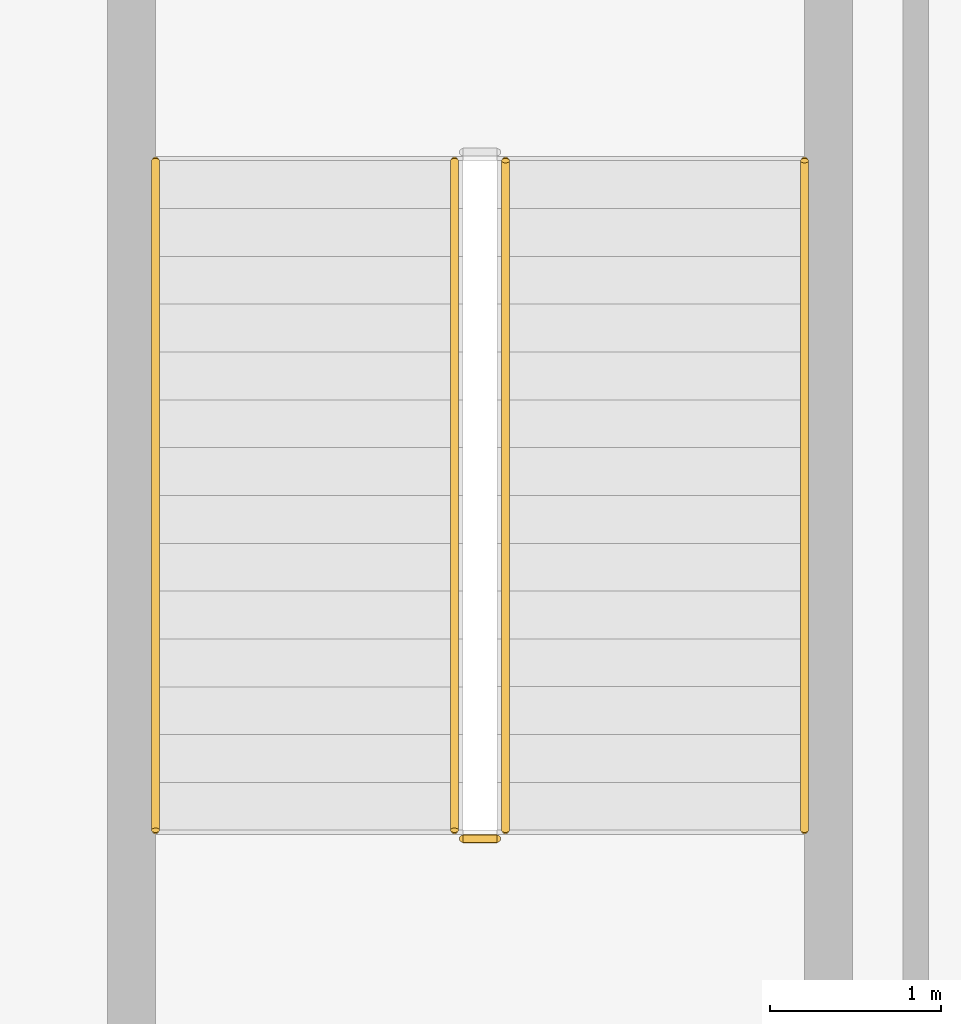
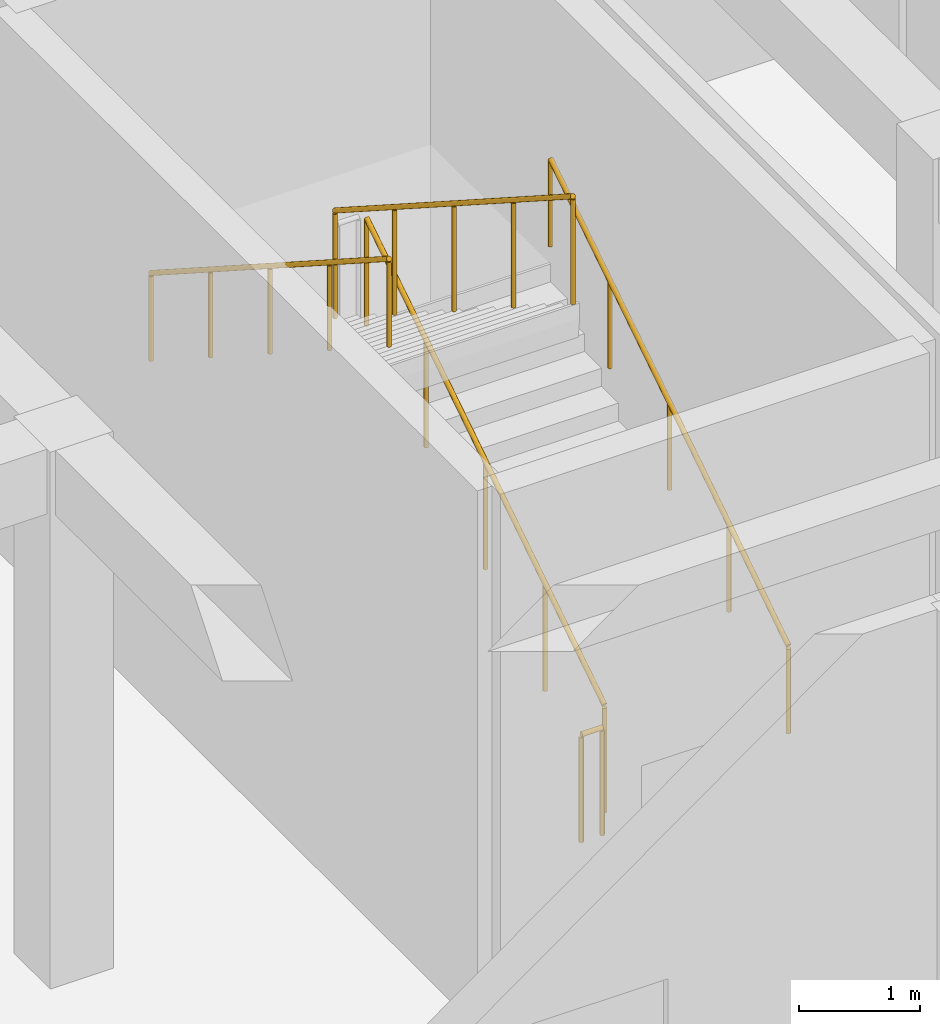
# One storey, part 76 of 89: 5 railings.
"""IFC4 building model written with IfcOpenShell, lengths in metres."""

from ifc_helpers import new_model, si_unit, direction, frame, origin, origin_2d, place, context, subcontext, project, spatial, circle, extrude, material, type_object, element, save


model = new_model("IFC4")

# Units and contexts
model_context = context("Model", 3, precision=1e-05, world=origin(), true_north=direction((0.0, 1.0)))
body_context = subcontext(model_context, "Body", "Model", "MODEL_VIEW")
ifc_project = project(units=[si_unit("LENGTHUNIT", "METRE"), si_unit("AREAUNIT", "SQUARE_METRE"), si_unit("VOLUMEUNIT", "CUBIC_METRE"), si_unit("PLANEANGLEUNIT", "RADIAN"), si_unit("MASSUNIT", "GRAM", prefix="KILO")], contexts=[model_context])

# Site, building, storey
site_placement = place(None, origin())
site = spatial("IfcSite", under=ifc_project, at=site_placement, CompositionType="ELEMENT")
building_placement = place(site_placement, origin())
building = spatial("IfcBuilding", under=site, at=building_placement, Name="Varncliffe General Hospital", CompositionType="ELEMENT")
storey_placement = place(building_placement, frame((0.0, 0.0, 10.800048828125)))
storey = spatial("IfcBuildingStorey", under=building, at=storey_placement, Name="L02", CompositionType="ELEMENT", Elevation=10.800048828125)

# Railings
ifc_material = material(Name="Powder-coated hospital steel guardrail and handrail", Category="steel")
railing_type_1 = type_object("IfcRailingType", Name="Stair and Ramp Handrail HR46", PredefinedType="HANDRAIL", material=ifc_material)
railing_1_placement = place(storey_placement, frame((40.14990234375, 90.60009765625, 0.364013671875)))
element("IfcRailing", 1, at=railing_1_placement, inside=storey, type_object=railing_type_1, Name="L02 ST13 stair handrail 1", PredefinedType="HANDRAIL", context=body_context, shape_type="SweptSolid", body=[
    extrude(circle(Radius=0.02392578125, at=origin_2d()), frame((0.0, 0.0, 0.8759765625), z_axis=(0.0, 0.841171666519, 0.540768182723), x_axis=(-1.0, 0.0, 0.0)), (0.0, 0.0, 1.0), 4.66015625),
    extrude(circle(Radius=0.02099609375, at=origin_2d()), origin(), (0.0, 0.0, 1.0), 0.851806640625),
    extrude(circle(Radius=0.02099609375, at=origin_2d()), frame((0.0, 0.97998046875, 0.6298828125)), (0.0, 0.0, 1.0), 0.851806640625),
    extrude(circle(Radius=0.02099609375, at=origin_2d()), frame((0.0, 1.9599609375, 1.260009765625)), (0.0, 0.0, 1.0), 0.851806640625),
    extrude(circle(Radius=0.02099609375, at=origin_2d()), frame((0.0, 2.93994140625, 1.89013671875)), (0.0, 0.0, 1.0), 0.851806640625),
    extrude(circle(Radius=0.02099609375, at=origin_2d()), frame((0.0, 3.919921875, 2.52001953125)), (0.0, 0.0, 1.0), 0.851806640625),
])
railing_2_placement = place(storey_placement, frame((36.35009765625, 94.52001953125, 3.06396484375)))
element("IfcRailing", 2, at=railing_2_placement, inside=storey, type_object=railing_type_1, Name="L02 ST13 stair handrail 2", PredefinedType="HANDRAIL", context=body_context, shape_type="SweptSolid", body=[
    extrude(circle(Radius=0.02392578125, at=origin_2d()), frame((0.0, 0.0, 0.8759765625), z_axis=(0.0, -0.841171666519, 0.540768182723), x_axis=(1.0, 0.0, 0.0)), (0.0, 0.0, 1.0), 4.66015625),
    extrude(circle(Radius=0.02099609375, at=origin_2d()), origin(), (0.0, 0.0, 1.0), 0.851806640625),
    extrude(circle(Radius=0.02099609375, at=origin_2d()), frame((0.0, -0.97998046875, 0.6298828125)), (0.0, 0.0, 1.0), 0.851806640625),
    extrude(circle(Radius=0.02099609375, at=origin_2d()), frame((0.0, -1.9599609375, 1.260009765625)), (0.0, 0.0, 1.0), 0.851806640625),
    extrude(circle(Radius=0.02099609375, at=origin_2d()), frame((0.0, -2.93994140625, 1.89013671875)), (0.0, 0.0, 1.0), 0.851806640625),
    extrude(circle(Radius=0.02099609375, at=origin_2d()), frame((0.0, -3.919921875, 2.52001953125)), (0.0, 0.0, 1.0), 0.851806640625),
])
railing_type_2 = type_object("IfcRailingType", Name="Stairwell Guardrail SG49", PredefinedType="GUARDRAIL", material=ifc_material)
railing_3_placement = place(storey_placement, frame((38.39990234375, 90.60009765625, 0.179931640625)))
element("IfcRailing", 3, at=railing_3_placement, inside=storey, type_object=railing_type_2, Name="L02 ST13 stair guard 1", PredefinedType="GUARDRAIL", context=body_context, shape_type="SweptSolid", body=[
    extrude(circle(Radius=0.02392578125, at=origin_2d()), frame((0.0, 0.0, 1.076171875), z_axis=(0.0, 0.841171666519, 0.540768182723), x_axis=(-1.0, 0.0, 0.0)), (0.0, 0.0, 1.0), 4.66015625),
    extrude(circle(Radius=0.02099609375, at=origin_2d()), origin(), (0.0, 0.0, 1.0), 1.052001953125),
    extrude(circle(Radius=0.02099609375, at=origin_2d()), frame((0.0, 0.97998046875, 0.6298828125)), (0.0, 0.0, 1.0), 1.052001953125),
    extrude(circle(Radius=0.02099609375, at=origin_2d()), frame((0.0, 1.9599609375, 1.260009765625)), (0.0, 0.0, 1.0), 1.052001953125),
    extrude(circle(Radius=0.02099609375, at=origin_2d()), frame((0.0, 2.93994140625, 1.89013671875)), (0.0, 0.0, 1.0), 1.052001953125),
    extrude(circle(Radius=0.02099609375, at=origin_2d()), frame((0.0, 3.919921875, 2.52001953125)), (0.0, 0.0, 1.0), 1.052001953125),
])
railing_4_placement = place(storey_placement, frame((38.10009765625, 94.52001953125, 2.8798828125)))
element("IfcRailing", 4, at=railing_4_placement, inside=storey, type_object=railing_type_2, Name="L02 ST13 stair guard 3", PredefinedType="GUARDRAIL", context=body_context, shape_type="SweptSolid", body=[
    extrude(circle(Radius=0.02392578125, at=origin_2d()), frame((0.0, 0.0, 1.076171875), z_axis=(0.0, -0.841171666519, 0.540768182723), x_axis=(1.0, 0.0, 0.0)), (0.0, 0.0, 1.0), 4.66015625),
    extrude(circle(Radius=0.02099609375, at=origin_2d()), origin(), (0.0, 0.0, 1.0), 1.052001953125),
    extrude(circle(Radius=0.02099609375, at=origin_2d()), frame((0.0, -0.97998046875, 0.6298828125)), (0.0, 0.0, 1.0), 1.052001953125),
    extrude(circle(Radius=0.02099609375, at=origin_2d()), frame((0.0, -1.9599609375, 1.260009765625)), (0.0, 0.0, 1.0), 1.052001953125),
    extrude(circle(Radius=0.02099609375, at=origin_2d()), frame((0.0, -2.93994140625, 1.89013671875)), (0.0, 0.0, 1.0), 1.052001953125),
    extrude(circle(Radius=0.02099609375, at=origin_2d()), frame((0.0, -3.919921875, 2.52001953125)), (0.0, 0.0, 1.0), 1.052001953125),
])
railing_5_placement = place(storey_placement, frame((38.35009765625, 90.550048828125, 0.0)))
element("IfcRailing", 5, at=railing_5_placement, inside=storey, type_object=railing_type_2, Name="L02 ST13 stair guard 4", PredefinedType="GUARDRAIL", context=body_context, shape_type="SweptSolid", body=[
    extrude(circle(Radius=0.02392578125, at=origin_2d()), frame((0.0, 0.0, 1.076171875), z_axis=(-1.0, 0.0, 0.0), x_axis=(0.0, -1.0, 0.0)), (0.0, 0.0, 1.0), 0.2001953125),
    extrude(circle(Radius=0.02099609375, at=origin_2d()), origin(), (0.0, 0.0, 1.0), 1.052001953125),
    extrude(circle(Radius=0.02099609375, at=origin_2d()), frame((-0.2001953125, 0.0, 0.0)), (0.0, 0.0, 1.0), 1.052001953125),
])

save(model, "model.ifc")
